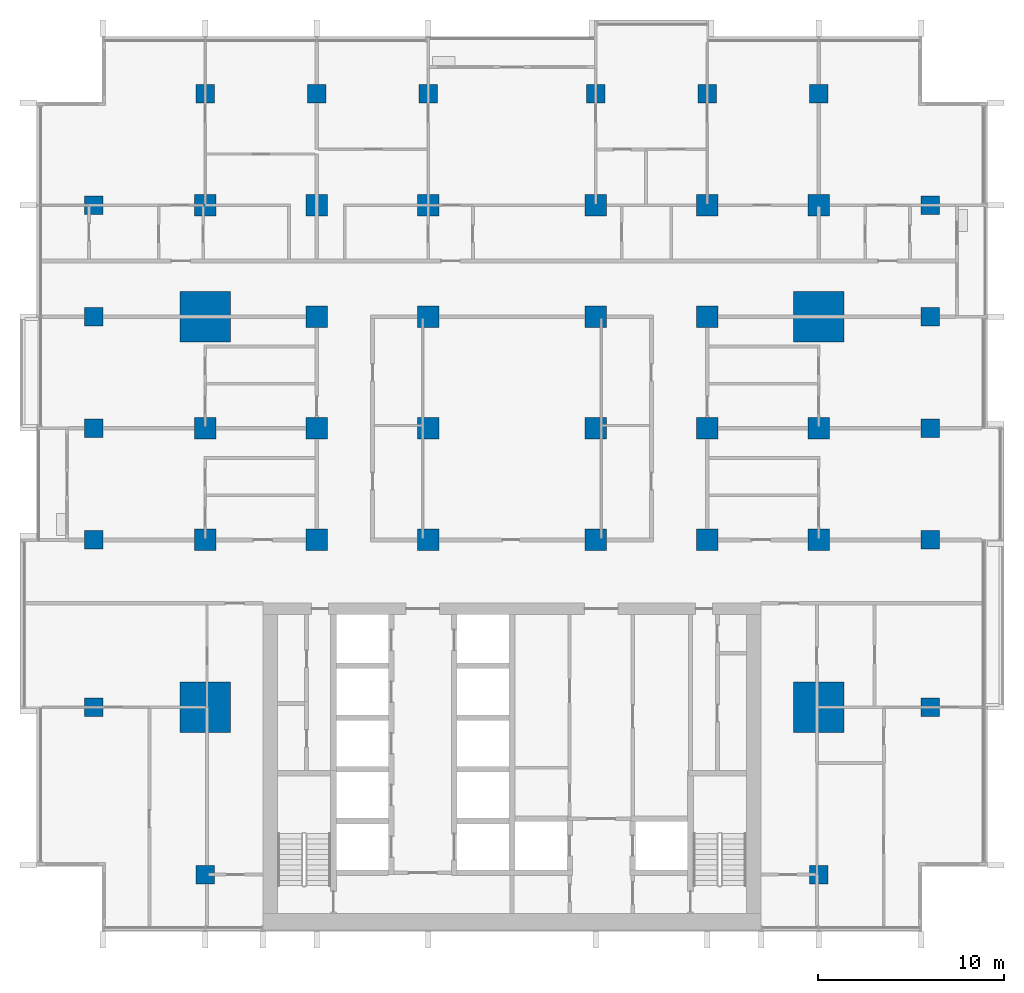
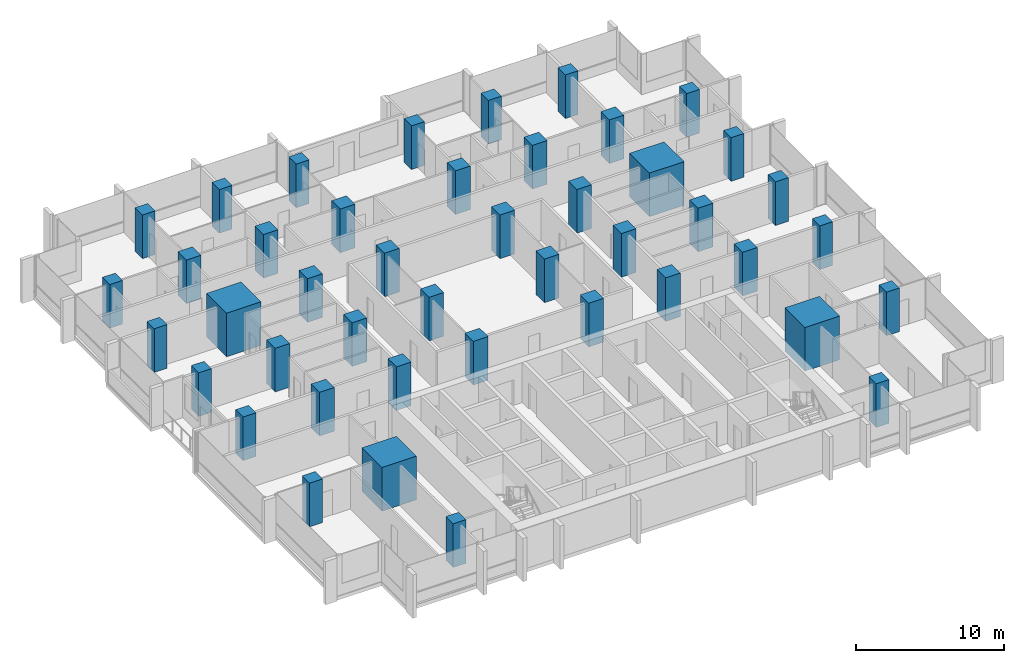
# One storey, part 1 of 17: 44 columns.
"""IFC4 building model written with IfcOpenShell, lengths in metres."""

from ifc_helpers import new_model, si_unit, direction, frame, origin, origin_2d, place, context, subcontext, project, spatial, rectangle, extrude, material, material_profile, profile_set, type_object, element, save


model = new_model("IFC4")

# Units and contexts
model_context = context("Model", 3, precision=1e-05, world=origin(), true_north=direction((0.0, 1.0)))
body_context = subcontext(model_context, "Body", "Model", "MODEL_VIEW")
ifc_project = project(units=[si_unit("LENGTHUNIT", "METRE"), si_unit("AREAUNIT", "SQUARE_METRE"), si_unit("VOLUMEUNIT", "CUBIC_METRE"), si_unit("PLANEANGLEUNIT", "RADIAN"), si_unit("MASSUNIT", "GRAM", prefix="KILO")], contexts=[model_context])

# Site, building, storey
site_placement = place(None, origin())
site = spatial("IfcSite", under=ifc_project, at=site_placement, CompositionType="ELEMENT")
building_placement = place(site_placement, origin())
building = spatial("IfcBuilding", under=site, at=building_placement, Name="Finial Court Residences", CompositionType="ELEMENT")
storey_placement = place(building_placement, frame((0.0, 0.0, 99.10009765625)))
storey = spatial("IfcBuildingStorey", under=building, at=storey_placement, Name="L24", CompositionType="ELEMENT", Elevation=99.10009765625)

# Columns
ifc_material = material(Name="Concrete C70/85", Category="concrete")
ifc_material_profile_1 = material_profile(ifc_material, rectangle(XDim=1.14990234375, YDim=1.14990234375, at=origin_2d()), Name="1150x1150")
ifc_profile_set_1 = profile_set([ifc_material_profile_1], Name="Concrete C70/85")
column_type_1 = type_object("IfcColumnType", Name="Interior column 1150x1150 Concrete C70/85", PredefinedType="COLUMN", material=ifc_profile_set_1)
for number, where, z_axis, x_axis, name in (
    (1, (-16.5, -4.5, 0.0), (0.0, 0.0, 1.0), (1.0, 0.0, 0.0), "S:COL:L24:C4"),
    (2, (-16.5, 1.5, 0.0), (0.0, 0.0, 1.0), (1.0, 0.0, 0.0), "S:COL:L24:C5"),
    (3, (-16.5, 13.5, 0.0), (0.0, 0.0, 1.0), (1.0, 0.0, 0.0), "S:COL:L24:C7"),
    (4, (-10.5, -4.5, 0.0), (0.0, 0.0, 1.0), (1.0, 0.0, 0.0), "S:COL:L24:D4"),
    (5, (-10.5, 1.5, 0.0), (0.0, 0.0, 1.0), (1.0, 0.0, 0.0), "S:COL:L24:D5"),
    (6, (-10.5, 7.5, 0.0), (0.0, 0.0, 1.0), (1.0, 0.0, 0.0), "S:COL:L24:D6"),
    (7, (-10.5, 13.5, 0.0), (0.0, 0.0, 1.0), (1.0, 0.0, 0.0), "S:COL:L24:D7"),
    (8, (-4.5, -4.5, 0.0), (0.0, 0.0, 1.0), (1.0, 0.0, 0.0), "S:COL:L24:E4"),
    (9, (-4.5, 1.5, 0.0), (0.0, 0.0, 1.0), (1.0, 0.0, 0.0), "S:COL:L24:E5"),
    (10, (-4.5, 7.5, 0.0), (0.0, 0.0, 1.0), (1.0, 0.0, 0.0), "S:COL:L24:E6"),
    (11, (-4.5, 13.5, 0.0), (0.0, 0.0, 1.0), (1.0, 0.0, 0.0), "S:COL:L24:E7"),
    (12, (4.5, -4.5, 0.0), (0.0, 0.0, 1.0), (1.0, 0.0, 0.0), "S:COL:L24:F4"),
    (13, (4.5, 1.5, 0.0), (0.0, 0.0, 1.0), (1.0, 0.0, 0.0), "S:COL:L24:F5"),
    (14, (4.5, 7.5, 0.0), (0.0, 0.0, 1.0), (1.0, 0.0, 0.0), "S:COL:L24:F6"),
    (15, (4.5, 13.5, 0.0), (0.0, 0.0, 1.0), (1.0, 0.0, 0.0), "S:COL:L24:F7"),
    (16, (10.5, -4.5, 0.0), (0.0, 0.0, 1.0), (1.0, 0.0, 0.0), "S:COL:L24:G4"),
    (17, (10.5, 1.5, 0.0), (0.0, 0.0, 1.0), (1.0, 0.0, 0.0), "S:COL:L24:G5"),
    (18, (10.5, 7.5, 0.0), (0.0, 0.0, 1.0), (1.0, 0.0, 0.0), "S:COL:L24:G6"),
    (19, (10.5, 13.5, 0.0), (0.0, 0.0, 1.0), (1.0, 0.0, 0.0), "S:COL:L24:G7"),
    (20, (16.5, -4.5, 0.0), (0.0, 0.0, 1.0), (1.0, 0.0, 0.0), "S:COL:L24:H4"),
    (21, (16.5, 1.5, 0.0), (0.0, 0.0, 1.0), (1.0, 0.0, 0.0), "S:COL:L24:H5"),
    (22, (16.5, 13.5, 0.0), (0.0, 0.0, 1.0), (1.0, 0.0, 0.0), "S:COL:L24:H7"),
):
    element("IfcColumn", number, at=place(storey_placement, frame(where, z_axis=z_axis, x_axis=x_axis)), inside=storey, type_object=column_type_1, Name=name, PredefinedType="COLUMN", context=body_context, shape_type="SweptSolid", body=[
        extrude(rectangle(XDim=1.14990234375, YDim=1.14990234375, at=origin_2d()), origin(), (0.0, 0.0, 1.0), 3.599853515625),
    ])
ifc_material_profile_2 = material_profile(ifc_material, rectangle(XDim=2.699951171875, YDim=2.699951171875, at=origin_2d()), Name="2700x2700")
ifc_profile_set_2 = profile_set([ifc_material_profile_2], Name="Concrete C70/85")
column_type_2 = type_object("IfcColumnType", Name="Mega column 2700x2700 Concrete C70/85", PredefinedType="COLUMN", material=ifc_profile_set_2)
for number, where, z_axis, x_axis, name in (
    (23, (-16.5, -13.5, 0.0), (0.0, 0.0, 1.0), (1.0, 0.0, 0.0), "S:COL:L24:C3"),
    (24, (-16.5, 7.5, 0.0), (0.0, 0.0, 1.0), (1.0, 0.0, 0.0), "S:COL:L24:C6"),
    (25, (16.5, -13.5, 0.0), (0.0, 0.0, 1.0), (1.0, 0.0, 0.0), "S:COL:L24:H3"),
    (26, (16.5, 7.5, 0.0), (0.0, 0.0, 1.0), (1.0, 0.0, 0.0), "S:COL:L24:H6"),
):
    element("IfcColumn", number, at=place(storey_placement, frame(where, z_axis=z_axis, x_axis=x_axis)), inside=storey, type_object=column_type_2, Name=name, PredefinedType="COLUMN", context=body_context, shape_type="SweptSolid", body=[
        extrude(rectangle(XDim=2.699951171875, YDim=2.699951171875, at=origin_2d()), origin(), (0.0, 0.0, 1.0), 3.599853515625),
    ])
ifc_material_profile_3 = material_profile(ifc_material, rectangle(XDim=1.0, YDim=1.0, at=origin_2d()), Name="1000x1000")
ifc_profile_set_3 = profile_set([ifc_material_profile_3], Name="Concrete C70/85")
column_type_3 = type_object("IfcColumnType", Name="Perimeter column 1000x1000 Concrete C70/85", PredefinedType="COLUMN", material=ifc_profile_set_3)
for number, where, z_axis, x_axis, name in (
    (27, (-22.5, -13.5, 0.0), (0.0, 0.0, 1.0), (1.0, 0.0, 0.0), "S:COL:L24:B3"),
    (28, (-22.5, -4.5, 0.0), (0.0, 0.0, 1.0), (1.0, 0.0, 0.0), "S:COL:L24:B4"),
    (29, (-22.5, 1.5, 0.0), (0.0, 0.0, 1.0), (1.0, 0.0, 0.0), "S:COL:L24:B5"),
    (30, (-22.5, 7.5, 0.0), (0.0, 0.0, 1.0), (1.0, 0.0, 0.0), "S:COL:L24:B6"),
    (31, (-22.5, 13.5, 0.0), (0.0, 0.0, 1.0), (1.0, 0.0, 0.0), "S:COL:L24:B7"),
    (32, (-16.5, -22.5, 0.0), (0.0, 0.0, 1.0), (1.0, 0.0, 0.0), "S:COL:L24:C2"),
    (33, (-16.5, 19.5, 0.0), (0.0, 0.0, 1.0), (1.0, 0.0, 0.0), "S:COL:L24:C8"),
    (34, (-10.5, 19.5, 0.0), (0.0, 0.0, 1.0), (1.0, 0.0, 0.0), "S:COL:L24:D8"),
    (35, (-4.5, 19.5, 0.0), (0.0, 0.0, 1.0), (1.0, 0.0, 0.0), "S:COL:L24:E8"),
    (36, (4.5, 19.5, 0.0), (0.0, 0.0, 1.0), (1.0, 0.0, 0.0), "S:COL:L24:F8"),
    (37, (10.5, 19.5, 0.0), (0.0, 0.0, 1.0), (1.0, 0.0, 0.0), "S:COL:L24:G8"),
    (38, (16.5, -22.5, 0.0), (0.0, 0.0, 1.0), (1.0, 0.0, 0.0), "S:COL:L24:H2"),
    (39, (16.5, 19.5, 0.0), (0.0, 0.0, 1.0), (1.0, 0.0, 0.0), "S:COL:L24:H8"),
    (40, (22.5, -13.5, 0.0), (0.0, 0.0, 1.0), (1.0, 0.0, 0.0), "S:COL:L24:I3"),
    (41, (22.5, -4.5, 0.0), (0.0, 0.0, 1.0), (1.0, 0.0, 0.0), "S:COL:L24:I4"),
    (42, (22.5, 1.5, 0.0), (0.0, 0.0, 1.0), (1.0, 0.0, 0.0), "S:COL:L24:I5"),
    (43, (22.5, 7.5, 0.0), (0.0, 0.0, 1.0), (1.0, 0.0, 0.0), "S:COL:L24:I6"),
    (44, (22.5, 13.5, 0.0), (0.0, 0.0, 1.0), (1.0, 0.0, 0.0), "S:COL:L24:I7"),
):
    element("IfcColumn", number, at=place(storey_placement, frame(where, z_axis=z_axis, x_axis=x_axis)), inside=storey, type_object=column_type_3, Name=name, PredefinedType="COLUMN", context=body_context, shape_type="SweptSolid", body=[
        extrude(rectangle(XDim=1.0, YDim=1.0, at=origin_2d()), origin(), (0.0, 0.0, 1.0), 3.599853515625),
    ])

save(model, "model.ifc")
